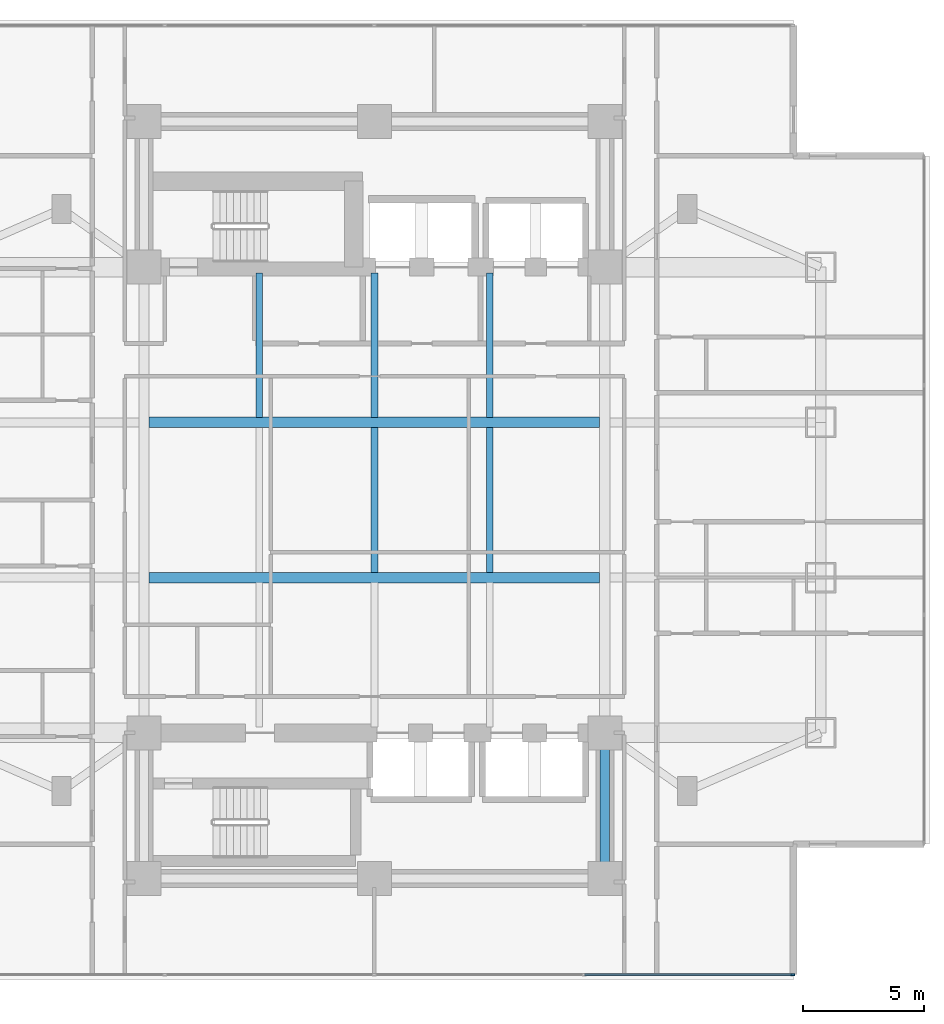
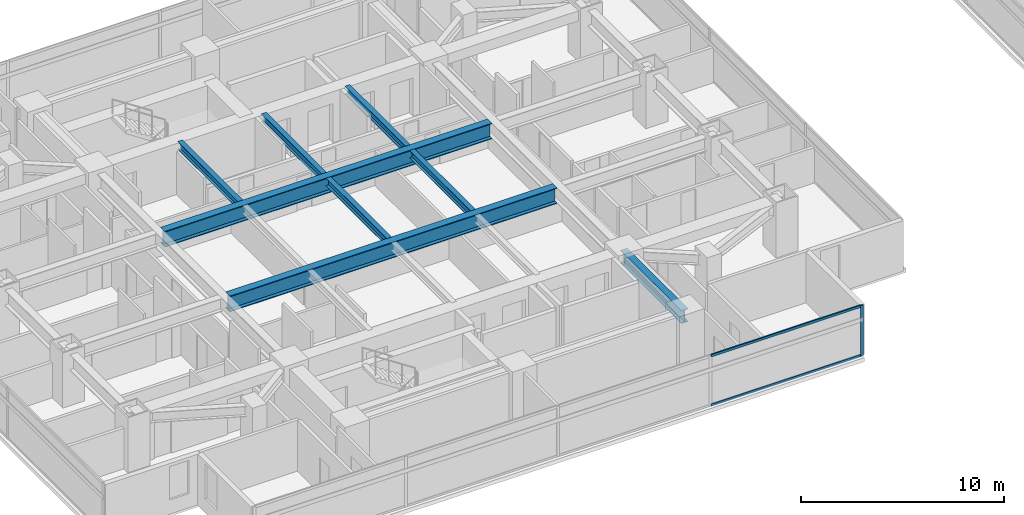
# One storey, part 4 of 27: 8 beams, 3 members, 1 element without a shape of its own.
"""IFC4 building model written with IfcOpenShell, lengths in metres."""

from ifc_helpers import new_model, si_unit, direction, frame, origin, origin_2d, place, context, subcontext, project, spatial, rectangle, i_section, extrude, material, material_profile, profile_set, type_object, element, aggregate, save


model = new_model("IFC4")

# Units and contexts
model_context = context("Model", 3, precision=1e-05, world=origin(), true_north=direction((0.0, 1.0)))
body_context = subcontext(model_context, "Body", "Model", "MODEL_VIEW")
ifc_project = project(units=[si_unit("LENGTHUNIT", "METRE"), si_unit("AREAUNIT", "SQUARE_METRE"), si_unit("VOLUMEUNIT", "CUBIC_METRE"), si_unit("PLANEANGLEUNIT", "RADIAN"), si_unit("MASSUNIT", "GRAM", prefix="KILO")], contexts=[model_context])

# Site, building, storey
site_placement = place(None, origin())
site = spatial("IfcSite", under=ifc_project, at=site_placement, CompositionType="ELEMENT")
building_placement = place(site_placement, origin())
building = spatial("IfcBuilding", under=site, at=building_placement, Name="Mirazonda Arch Towers", CompositionType="ELEMENT")
storey_placement = place(building_placement, frame((0.0, 0.0, 42.199951171875)))
storey = spatial("IfcBuildingStorey", under=building, at=storey_placement, Name="L11", CompositionType="ELEMENT", Elevation=42.199951171875)

# Beams
ifc_material_1 = material(Name="Steel ASTM A992 Grade 50", Category="steel")
ifc_material_profile_1 = material_profile(ifc_material_1, i_section(OverallWidth=0.280029296875, OverallDepth=0.462890625, WebThickness=0.0107421875, FlangeThickness=0.017333984375, at=origin_2d()), Name="W18X76")
ifc_profile_set_1 = profile_set([ifc_material_profile_1], Name="Steel ASTM A992 Grade 50")
beam_type_1 = type_object("IfcBeamType", Name="BM-INT-W18X76", PredefinedType="JOIST", material=ifc_profile_set_1)
for number, where, z_axis, x_axis, name in (
    (1, (15.75, 31.407470703125, 2.82861328125), (0.0, 1.0, 0.0), (-1.0, 0.0, 0.0), "L11 Floor Beam BM-T1-L11-J-157-31"),
    (2, (20.5, 31.407470703125, 2.82861328125), (0.0, 1.0, 0.0), (-1.0, 0.0, 0.0), "L11 Floor Beam BM-T1-L11-J-205-31"),
):
    element("IfcBeam", number, at=place(storey_placement, frame(where, z_axis=z_axis, x_axis=x_axis)), inside=storey, type_object=beam_type_1, Name=name, PredefinedType="JOIST", context=body_context, shape_type="SweptSolid", body=[
        extrude(i_section(OverallWidth=0.280029296875, OverallDepth=0.462890625, WebThickness=0.0107421875, FlangeThickness=0.017333984375, at=origin_2d()), origin(), (0.0, 0.0, 1.0), 5.95263671875),
    ])
beam_1_placement = place(storey_placement, frame((20.5, 25.007568359375, 2.82861328125), z_axis=(0.0, 1.0, 0.0), x_axis=(-1.0, 0.0, 0.0)))
element("IfcBeam", 3, at=beam_1_placement, inside=storey, type_object=beam_type_1, Name="L11 Floor Beam BM-T1-L11-J-205-24", PredefinedType="JOIST", context=body_context, shape_type="SweptSolid", body=[
    extrude(i_section(OverallWidth=0.280029296875, OverallDepth=0.462890625, WebThickness=0.0107421875, FlangeThickness=0.017333984375, at=origin_2d()), origin(), (0.0, 0.0, 1.0), 5.98486328125),
])
beam_2_placement = place(storey_placement, frame((25.25, 31.407470703125, 2.82861328125), z_axis=(0.0, 1.0, 0.0), x_axis=(-1.0, 0.0, 0.0)))
element("IfcBeam", 4, at=beam_2_placement, inside=storey, type_object=beam_type_1, Name="L11 Floor Beam BM-T1-L11-J-252-31", PredefinedType="JOIST", context=body_context, shape_type="SweptSolid", body=[
    extrude(i_section(OverallWidth=0.280029296875, OverallDepth=0.462890625, WebThickness=0.0107421875, FlangeThickness=0.017333984375, at=origin_2d()), origin(), (0.0, 0.0, 1.0), 5.95263671875),
])
beam_3_placement = place(storey_placement, frame((25.25, 25.007568359375, 2.82861328125), z_axis=(0.0, 1.0, 0.0), x_axis=(-1.0, 0.0, 0.0)))
element("IfcBeam", 5, at=beam_3_placement, inside=storey, type_object=beam_type_1, Name="L11 Floor Beam BM-T1-L11-J-252-24", PredefinedType="JOIST", context=body_context, shape_type="SweptSolid", body=[
    extrude(i_section(OverallWidth=0.280029296875, OverallDepth=0.462890625, WebThickness=0.0107421875, FlangeThickness=0.017333984375, at=origin_2d()), origin(), (0.0, 0.0, 1.0), 5.98486328125),
])
ifc_material_profile_2 = material_profile(ifc_material_1, i_section(OverallWidth=0.381103515625, OverallDepth=0.77294921875, WebThickness=0.0166015625, FlangeThickness=0.027099609375, at=origin_2d()), Name="W30X173")
ifc_profile_set_2 = profile_set([ifc_material_profile_2], Name="Steel ASTM A992 Grade 50")
beam_type_2 = type_object("IfcBeamType", Name="BM-INT-W30X173", PredefinedType="USERDEFINED", material=ifc_profile_set_2)
beam_4_placement = place(storey_placement, frame((30.0, 12.39990234375, 2.673583984375), z_axis=(0.0, 1.0, 0.0), x_axis=(-1.0, 0.0, 0.0)))
element("IfcBeam", 6, at=beam_4_placement, inside=storey, type_object=beam_type_2, Name="L11 Floor Beam BM-T1-L11-CSE", ObjectType="GIRDER", PredefinedType="USERDEFINED", context=body_context, shape_type="SweptSolid", body=[
    extrude(i_section(OverallWidth=0.381103515625, OverallDepth=0.77294921875, WebThickness=0.0166015625, FlangeThickness=0.027099609375, at=origin_2d()), origin(), (0.0, 0.0, 1.0), 6.0),
])
ifc_material_profile_3 = material_profile(ifc_material_1, i_section(OverallWidth=0.423095703125, OverallDepth=0.947998046875, WebThickness=0.02392578125, FlangeThickness=0.042724609375, at=origin_2d()), Name="W36X302")
ifc_profile_set_3 = profile_set([ifc_material_profile_3], Name="Steel ASTM A992 Grade 50")
beam_type_3 = type_object("IfcBeamType", Name="BM-INT-W36X302", PredefinedType="USERDEFINED", material=ifc_profile_set_3)
for number, where, z_axis, x_axis, name in (
    (7, (11.21142578125, 24.800048828125, 2.5859375), (1.0, 0.0, 0.0), (0.0, 1.0, 0.0), "L11 Floor Beam BM-T1-L11-GC2"),
    (8, (11.21142578125, 31.199951171875, 2.5859375), (1.0, 0.0, 0.0), (0.0, 1.0, 0.0), "L11 Floor Beam BM-T1-L11-GC3"),
):
    element("IfcBeam", number, at=place(storey_placement, frame(where, z_axis=z_axis, x_axis=x_axis)), inside=storey, type_object=beam_type_3, Name=name, ObjectType="GIRDER", PredefinedType="USERDEFINED", context=body_context, shape_type="SweptSolid", body=[
        extrude(i_section(OverallWidth=0.423095703125, OverallDepth=0.947998046875, WebThickness=0.02392578125, FlangeThickness=0.042724609375, at=origin_2d()), origin(), (0.0, 0.0, 1.0), 18.5771484375),
    ])

# Curtain wall, members
ifc_material_2 = material(Name="Anodised Aluminium and Low-E Glass", Category="aluminium")
curtain_wall_type = type_object("IfcCurtainWallType", Name="CW-HTL-UNIT", PredefinedType="NOTDEFINED", material=ifc_material_2)
curtain_wall_placement = place(storey_placement, origin())
curtain_wall = element("IfcCurtainWall", 9, at=curtain_wall_placement, inside=storey, type_object=curtain_wall_type, Name="L11 T1 S Facade CW-L11-T1-S", PredefinedType="NOTDEFINED")
ifc_material_3 = material(Name="Anodised Aluminium Alloy", Category="aluminium")
ifc_material_profile_4 = material_profile(ifc_material_3, rectangle(XDim=0.074951171875, YDim=0.1650390625, at=origin_2d()), Name="ALU-MULL-75x165")
ifc_profile_set_4 = profile_set([ifc_material_profile_4], Name="Anodised Aluminium Alloy")
member_type_1 = type_object("IfcMemberType", Name="MULL-CW-HTL-UNIT", PredefinedType="MULLION", material=ifc_profile_set_4)
member_1_placement = place(storey_placement, frame((37.742431640625, 8.431884765625, 0.0), z_axis=(0.0, 0.0, 1.0), x_axis=(0.0, -1.0, 0.0)))
member_1 = element("IfcMember", 10, at=member_1_placement, type_object=member_type_1, Name="CW-112 mullion 1", PredefinedType="MULLION", context=body_context, shape_type="SweptSolid", body=[
    extrude(rectangle(XDim=0.074951171875, YDim=0.1650390625, at=origin_2d()), origin(), (0.0, 0.0, 1.0), 3.0400390625),
])
ifc_material_profile_5 = material_profile(ifc_material_3, rectangle(XDim=0.074951171875, YDim=0.14501953125, at=origin_2d()), Name="ALU-TRAN-75x145")
ifc_profile_set_5 = profile_set([ifc_material_profile_5], Name="Anodised Aluminium Alloy")
member_type_2 = type_object("IfcMemberType", Name="TRAN-CW-HTL-UNIT", PredefinedType="USERDEFINED", material=ifc_profile_set_5)
member_2_placement = place(storey_placement, frame((37.705078125, 8.431884765625, 0.03759765625), z_axis=(-1.0, 0.0, 0.0), x_axis=(0.0, -1.0, 0.0)))
member_2 = element("IfcMember", 11, at=member_2_placement, type_object=member_type_2, Name="CW-112 transom 1.1", ObjectType="TRANSOM", PredefinedType="USERDEFINED", context=body_context, shape_type="SweptSolid", body=[
    extrude(rectangle(XDim=0.074951171875, YDim=0.14501953125, at=origin_2d()), origin(), (0.0, 0.0, 1.0), 8.527587890625),
])
member_3_placement = place(storey_placement, frame((37.705078125, 8.431884765625, 3.00244140625), z_axis=(-1.0, 0.0, 0.0), x_axis=(0.0, -1.0, 0.0)))
member_3 = element("IfcMember", 12, at=member_3_placement, type_object=member_type_2, Name="CW-112 transom 1.2", ObjectType="TRANSOM", PredefinedType="USERDEFINED", context=body_context, shape_type="SweptSolid", body=[
    extrude(rectangle(XDim=0.074951171875, YDim=0.14501953125, at=origin_2d()), origin(), (0.0, 0.0, 1.0), 8.527587890625),
])
aggregate(curtain_wall, [member_1, member_2, member_3])

save(model, "model.ifc")
